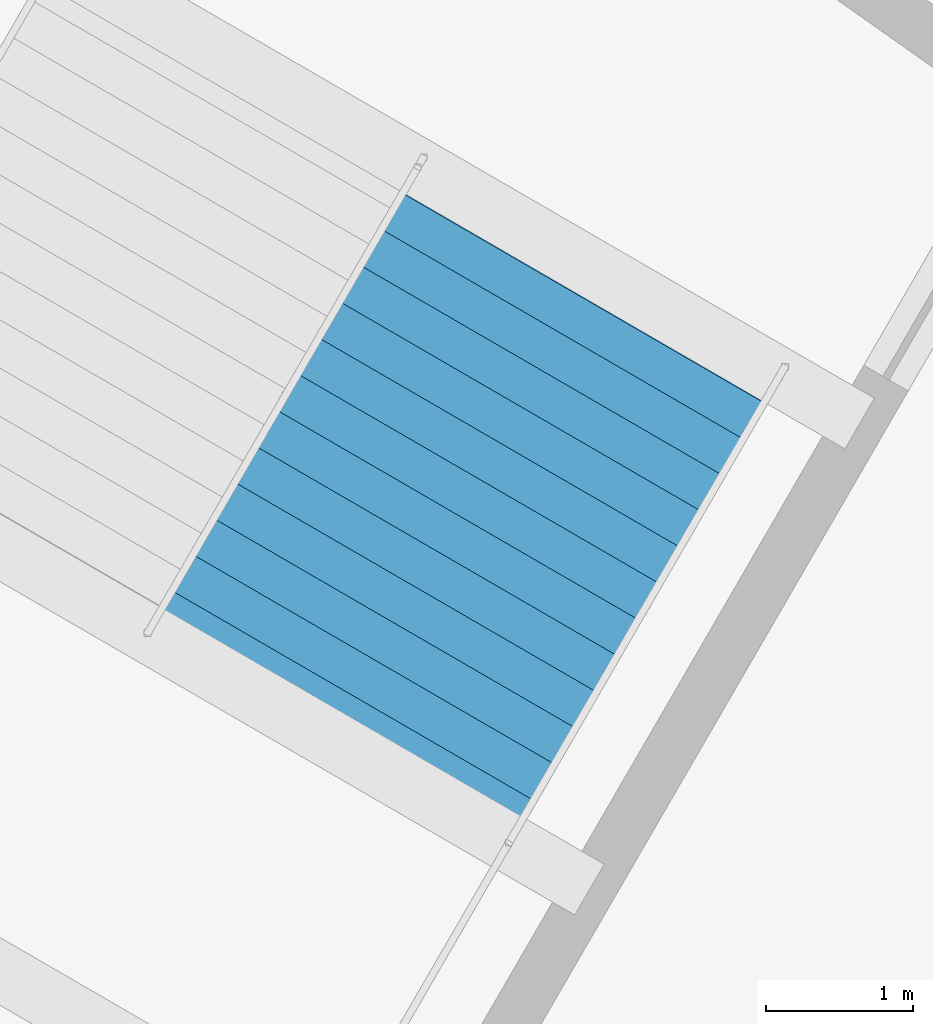
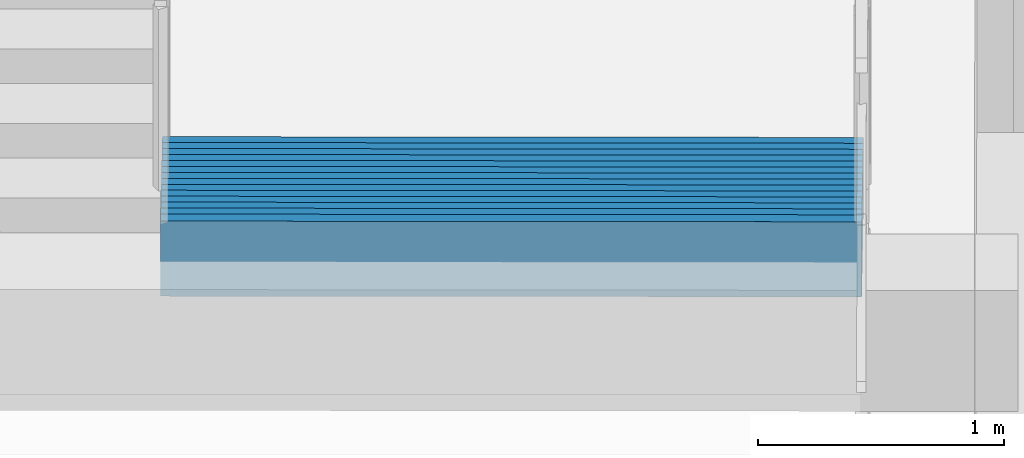
# One storey, part 132 of 156: 1 stair flight, 1 element without a shape of its own.
"""IFC4 building model written with IfcOpenShell, lengths in metres."""

from ifc_helpers import new_model, si_unit, direction, frame, origin, place, context, subcontext, project, spatial, polygons, material, type_object, element, aggregate, save


model = new_model("IFC4")

# Units and contexts
model_context = context("Model", 3, precision=1e-05, world=origin(), true_north=direction((0.0, 1.0)))
body_context = subcontext(model_context, "Body", "Model", "MODEL_VIEW")
ifc_project = project(units=[si_unit("LENGTHUNIT", "METRE"), si_unit("AREAUNIT", "SQUARE_METRE"), si_unit("VOLUMEUNIT", "CUBIC_METRE"), si_unit("PLANEANGLEUNIT", "RADIAN"), si_unit("MASSUNIT", "GRAM", prefix="KILO")], contexts=[model_context])

# Site, building, storey
site_placement = place(None, origin())
site = spatial("IfcSite", under=ifc_project, at=site_placement, CompositionType="ELEMENT")
building_placement = place(site_placement, origin())
building = spatial("IfcBuilding", under=site, at=building_placement, Name="Kazemori Nagisa Stadium", CompositionType="ELEMENT")
storey_placement = place(building_placement, frame((0.0, 0.0, 5.780029296875)))
storey = spatial("IfcBuildingStorey", under=building, at=storey_placement, Name="L01", CompositionType="ELEMENT", Elevation=5.780029296875)

# Stair, stair flight
ifc_material = material(Name="Concrete C36/45 (Fc36)", Category="concrete")
stair_type = type_object("IfcStairType", Name="Stair_CORE_28", PredefinedType="TWO_STRAIGHT_RUN_STAIR", material=ifc_material)
stair_placement = place(storey_placement, origin())
stair = element("IfcStair", 1, at=stair_placement, inside=storey, type_object=stair_type, Name="Exit stair ST08 L01", PredefinedType="TWO_STRAIGHT_RUN_STAIR")
stair_flight_type = type_object("IfcStairFlightType", Name="Flight_CORE_14", PredefinedType="STRAIGHT", material=ifc_material)
stair_flight_placement = place(storey_placement, frame((49.54345703125, 150.724609375, 0.0), z_axis=(0.0, 0.0, 1.0), x_axis=(-0.501579038974, -0.86511182379, 0.0)))
stair_flight = element("IfcStairFlight", 2, at=stair_flight_placement, type_object=stair_flight_type, Name="Exit stair ST08 L01 flight 1", NumberOfRisers=14, NumberOfTreads=13, PredefinedType="STRAIGHT", RiserHeight=0.17, TreadLength=0.285, context=body_context, shape_type="Tessellation", body=[
    polygons([(0.0, -1.425048828125, 0.0), (0.0, -1.425048828125, 0.169921875), (0.284912109375, -1.425048828125, 0.169921875), (0.284912109375, -1.425048828125, 0.340087890625), (0.570068359375, -1.425048828125, 0.340087890625), (0.570068359375, -1.425048828125, 0.510009765625), (0.85498046875, -1.425048828125, 0.510009765625), (0.85498046875, -1.425048828125, 0.679931640625), (1.139892578125, -1.425048828125, 0.679931640625), (1.139892578125, -1.425048828125, 0.85009765625), (1.425048828125, -1.425048828125, 0.85009765625), (1.425048828125, -1.425048828125, 1.02001953125), (1.7099609375, -1.425048828125, 1.02001953125), (1.7099609375, -1.425048828125, 1.18994140625), (1.9951171875, -1.425048828125, 1.18994140625), (1.9951171875, -1.425048828125, 1.360107421875), (2.280029296875, -1.425048828125, 1.360107421875), (2.280029296875, -1.425048828125, 1.530029296875), (2.56494140625, -1.425048828125, 1.530029296875), (2.56494140625, -1.425048828125, 1.699951171875), (2.85009765625, -1.425048828125, 1.699951171875), (2.85009765625, -1.425048828125, 1.8701171875), (3.135009765625, -1.425048828125, 1.8701171875), (3.135009765625, -1.425048828125, 2.0400390625), (3.419921875, -1.425048828125, 2.0400390625), (3.419921875, -1.425048828125, 2.2099609375), (3.705078125, -1.425048828125, 2.2099609375), (3.705078125, -1.425048828125, 2.3798828125), (3.7548828125, -1.425048828125, 2.3798828125), (3.7548828125, -1.425048828125, 2.007080078125), (3.705078125, -1.425048828125, 1.977294921875), (3.419921875, -1.425048828125, 1.80712890625), (3.135009765625, -1.425048828125, 1.63720703125), (2.85009765625, -1.425048828125, 1.46728515625), (2.56494140625, -1.425048828125, 1.297119140625), (2.280029296875, -1.425048828125, 1.127197265625), (1.9951171875, -1.425048828125, 0.957275390625), (1.7099609375, -1.425048828125, 0.787109375), (1.425048828125, -1.425048828125, 0.6171875), (1.139892578125, -1.425048828125, 0.447265625), (0.85498046875, -1.425048828125, 0.277099609375), (0.570068359375, -1.425048828125, 0.107177734375), (0.284912109375, -1.425048828125, 0.0), (0.0, -0.08544921875, 0.0), (0.0, -0.08544921875, 0.169921875), (0.284912109375, -0.08544921875, 0.169921875), (0.284912109375, -0.08544921875, 0.340087890625), (0.570068359375, -0.08544921875, 0.340087890625), (0.570068359375, -0.08544921875, 0.510009765625), (0.85498046875, -0.08544921875, 0.510009765625), (0.85498046875, -0.08544921875, 0.679931640625), (1.139892578125, -0.08544921875, 0.679931640625), (1.139892578125, -0.08544921875, 0.85009765625), (1.425048828125, -0.08544921875, 0.85009765625), (1.425048828125, -0.08544921875, 1.02001953125), (1.7099609375, -0.08544921875, 1.02001953125), (1.7099609375, -0.08544921875, 1.18994140625), (1.9951171875, -0.08544921875, 1.18994140625), (1.9951171875, -0.08544921875, 1.360107421875), (2.280029296875, -0.08544921875, 1.360107421875), (2.280029296875, -0.08544921875, 1.530029296875), (2.56494140625, -0.08544921875, 1.530029296875), (2.56494140625, -0.08544921875, 1.699951171875), (2.85009765625, -0.08544921875, 1.699951171875), (2.85009765625, -0.08544921875, 1.8701171875), (3.135009765625, -0.08544921875, 1.8701171875), (3.135009765625, -0.08544921875, 2.0400390625), (3.419921875, -0.08544921875, 2.0400390625), (3.419921875, -0.08544921875, 2.2099609375), (3.705078125, -0.08544921875, 2.2099609375), (3.705078125, -0.08544921875, 2.3798828125), (3.7548828125, -0.08544921875, 2.3798828125), (3.7548828125, -0.08544921875, 2.007080078125), (3.705078125, -0.08544921875, 1.977294921875), (3.419921875, -0.08544921875, 1.80712890625), (3.135009765625, -0.08544921875, 1.63720703125), (2.85009765625, -0.08544921875, 1.46728515625), (2.56494140625, -0.08544921875, 1.297119140625), (2.280029296875, -0.08544921875, 1.127197265625), (1.9951171875, -0.08544921875, 0.957275390625), (1.7099609375, -0.08544921875, 0.787109375), (1.425048828125, -0.08544921875, 0.6171875), (1.139892578125, -0.08544921875, 0.447265625), (0.85498046875, -0.08544921875, 0.277099609375), (0.570068359375, -0.08544921875, 0.107177734375), (0.284912109375, -0.08544921875, 0.0), (0.0, 0.0, 0.0), (0.0, 0.0, 0.169921875), (0.284912109375, 0.0, 0.169921875), (0.284912109375, 0.0, 0.340087890625), (0.570068359375, 0.0, 0.340087890625), (0.570068359375, 0.0, 0.510009765625), (0.85498046875, 0.0, 0.510009765625), (0.85498046875, 0.0, 0.679931640625), (1.139892578125, 0.0, 0.679931640625), (1.139892578125, 0.0, 0.85009765625), (1.425048828125, 0.0, 0.85009765625), (1.425048828125, 0.0, 1.02001953125), (1.7099609375, 0.0, 1.02001953125), (1.7099609375, 0.0, 1.18994140625), (1.9951171875, 0.0, 1.18994140625), (1.9951171875, 0.0, 1.360107421875), (2.280029296875, 0.0, 1.360107421875), (2.280029296875, 0.0, 1.530029296875), (2.56494140625, 0.0, 1.530029296875), (2.56494140625, 0.0, 1.699951171875), (2.85009765625, 0.0, 1.699951171875), (2.85009765625, 0.0, 1.8701171875), (3.135009765625, 0.0, 1.8701171875), (3.135009765625, 0.0, 2.0400390625), (3.419921875, 0.0, 2.0400390625), (3.419921875, 0.0, 2.2099609375), (3.705078125, 0.0, 2.2099609375), (3.705078125, 0.0, 2.3798828125), (3.7548828125, 0.0, 2.3798828125), (3.7548828125, 0.0, 2.007080078125), (3.705078125, 0.0, 1.977294921875), (3.419921875, 0.0, 1.80712890625), (3.135009765625, 0.0, 1.63720703125), (2.85009765625, 0.0, 1.46728515625), (2.56494140625, 0.0, 1.297119140625), (2.280029296875, 0.0, 1.127197265625), (1.9951171875, 0.0, 0.957275390625), (1.7099609375, 0.0, 0.787109375), (1.425048828125, 0.0, 0.6171875), (1.139892578125, 0.0, 0.447265625), (0.85498046875, 0.0, 0.277099609375), (0.570068359375, 0.0, 0.107177734375), (0.284912109375, 0.0, 0.0), (0.0, 0.08544921875, 0.0), (0.0, 0.08544921875, 0.169921875), (0.284912109375, 0.08544921875, 0.169921875), (0.284912109375, 0.08544921875, 0.340087890625), (0.570068359375, 0.08544921875, 0.340087890625), (0.570068359375, 0.08544921875, 0.510009765625), (0.85498046875, 0.08544921875, 0.510009765625), (0.85498046875, 0.08544921875, 0.679931640625), (1.139892578125, 0.08544921875, 0.679931640625), (1.139892578125, 0.08544921875, 0.85009765625), (1.425048828125, 0.08544921875, 0.85009765625), (1.425048828125, 0.08544921875, 1.02001953125), (1.7099609375, 0.08544921875, 1.02001953125), (1.7099609375, 0.08544921875, 1.18994140625), (1.9951171875, 0.08544921875, 1.18994140625), (1.9951171875, 0.08544921875, 1.360107421875), (2.280029296875, 0.08544921875, 1.360107421875), (2.280029296875, 0.08544921875, 1.530029296875), (2.56494140625, 0.08544921875, 1.530029296875), (2.56494140625, 0.08544921875, 1.699951171875), (2.85009765625, 0.08544921875, 1.699951171875), (2.85009765625, 0.08544921875, 1.8701171875), (3.135009765625, 0.08544921875, 1.8701171875), (3.135009765625, 0.08544921875, 2.0400390625), (3.419921875, 0.08544921875, 2.0400390625), (3.419921875, 0.08544921875, 2.2099609375), (3.705078125, 0.08544921875, 2.2099609375), (3.705078125, 0.08544921875, 2.3798828125), (3.7548828125, 0.08544921875, 2.3798828125), (3.7548828125, 0.08544921875, 2.007080078125), (3.705078125, 0.08544921875, 1.977294921875), (3.419921875, 0.08544921875, 1.80712890625), (3.135009765625, 0.08544921875, 1.63720703125), (2.85009765625, 0.08544921875, 1.46728515625), (2.56494140625, 0.08544921875, 1.297119140625), (2.280029296875, 0.08544921875, 1.127197265625), (1.9951171875, 0.08544921875, 0.957275390625), (1.7099609375, 0.08544921875, 0.787109375), (1.425048828125, 0.08544921875, 0.6171875), (1.139892578125, 0.08544921875, 0.447265625), (0.85498046875, 0.08544921875, 0.277099609375), (0.570068359375, 0.08544921875, 0.107177734375), (0.284912109375, 0.08544921875, 0.0), (0.0, 1.425048828125, 0.0), (0.0, 1.425048828125, 0.169921875), (0.284912109375, 1.425048828125, 0.169921875), (0.284912109375, 1.425048828125, 0.340087890625), (0.570068359375, 1.425048828125, 0.340087890625), (0.570068359375, 1.425048828125, 0.510009765625), (0.85498046875, 1.425048828125, 0.510009765625), (0.85498046875, 1.425048828125, 0.679931640625), (1.139892578125, 1.425048828125, 0.679931640625), (1.139892578125, 1.425048828125, 0.85009765625), (1.425048828125, 1.425048828125, 0.85009765625), (1.425048828125, 1.425048828125, 1.02001953125), (1.7099609375, 1.425048828125, 1.02001953125), (1.7099609375, 1.425048828125, 1.18994140625), (1.9951171875, 1.425048828125, 1.18994140625), (1.9951171875, 1.425048828125, 1.360107421875), (2.280029296875, 1.425048828125, 1.360107421875), (2.280029296875, 1.425048828125, 1.530029296875), (2.56494140625, 1.425048828125, 1.530029296875), (2.56494140625, 1.425048828125, 1.699951171875), (2.85009765625, 1.425048828125, 1.699951171875), (2.85009765625, 1.425048828125, 1.8701171875), (3.135009765625, 1.425048828125, 1.8701171875), (3.135009765625, 1.425048828125, 2.0400390625), (3.419921875, 1.425048828125, 2.0400390625), (3.419921875, 1.425048828125, 2.2099609375), (3.705078125, 1.425048828125, 2.2099609375), (3.705078125, 1.425048828125, 2.3798828125), (3.7548828125, 1.425048828125, 2.3798828125), (3.7548828125, 1.425048828125, 2.007080078125), (3.705078125, 1.425048828125, 1.977294921875), (3.419921875, 1.425048828125, 1.80712890625), (3.135009765625, 1.425048828125, 1.63720703125), (2.85009765625, 1.425048828125, 1.46728515625), (2.56494140625, 1.425048828125, 1.297119140625), (2.280029296875, 1.425048828125, 1.127197265625), (1.9951171875, 1.425048828125, 0.957275390625), (1.7099609375, 1.425048828125, 0.787109375), (1.425048828125, 1.425048828125, 0.6171875), (1.139892578125, 1.425048828125, 0.447265625), (0.85498046875, 1.425048828125, 0.277099609375), (0.570068359375, 1.425048828125, 0.107177734375), (0.284912109375, 1.425048828125, 0.0)], [[[1, 2, 45]], [[1, 45, 44]], [[2, 3, 46]], [[2, 46, 45]], [[3, 4, 47]], [[3, 47, 46]], [[4, 5, 48]], [[4, 48, 47]], [[5, 6, 49]], [[5, 49, 48]], [[6, 7, 50]], [[6, 50, 49]], [[7, 8, 51]], [[7, 51, 50]], [[8, 9, 52]], [[8, 52, 51]], [[9, 10, 53]], [[9, 53, 52]], [[10, 11, 54]], [[10, 54, 53]], [[11, 12, 55]], [[11, 55, 54]], [[12, 13, 56]], [[12, 56, 55]], [[13, 14, 57]], [[13, 57, 56]], [[14, 15, 58]], [[14, 58, 57]], [[15, 16, 59]], [[15, 59, 58]], [[16, 17, 60]], [[16, 60, 59]], [[17, 18, 61]], [[17, 61, 60]], [[18, 19, 62]], [[18, 62, 61]], [[19, 20, 63]], [[19, 63, 62]], [[20, 21, 64]], [[20, 64, 63]], [[21, 22, 65]], [[21, 65, 64]], [[22, 23, 66]], [[22, 66, 65]], [[23, 24, 67]], [[23, 67, 66]], [[24, 25, 68]], [[24, 68, 67]], [[25, 26, 69]], [[25, 69, 68]], [[26, 27, 70]], [[26, 70, 69]], [[27, 28, 71]], [[27, 71, 70]], [[28, 29, 72]], [[28, 72, 71]], [[29, 30, 73]], [[29, 73, 72]], [[30, 31, 74]], [[30, 74, 73]], [[31, 32, 75]], [[31, 75, 74]], [[32, 33, 76]], [[32, 76, 75]], [[33, 34, 77]], [[33, 77, 76]], [[34, 35, 78]], [[34, 78, 77]], [[35, 36, 79]], [[35, 79, 78]], [[36, 37, 80]], [[36, 80, 79]], [[37, 38, 81]], [[37, 81, 80]], [[38, 39, 82]], [[38, 82, 81]], [[39, 40, 83]], [[39, 83, 82]], [[40, 41, 84]], [[40, 84, 83]], [[41, 42, 85]], [[41, 85, 84]], [[42, 43, 86]], [[42, 86, 85]], [[43, 1, 44]], [[43, 44, 86]], [[44, 45, 88]], [[44, 88, 87]], [[45, 46, 89]], [[45, 89, 88]], [[46, 47, 90]], [[46, 90, 89]], [[47, 48, 91]], [[47, 91, 90]], [[48, 49, 92]], [[48, 92, 91]], [[49, 50, 93]], [[49, 93, 92]], [[50, 51, 94]], [[50, 94, 93]], [[51, 52, 95]], [[51, 95, 94]], [[52, 53, 96]], [[52, 96, 95]], [[53, 54, 97]], [[53, 97, 96]], [[54, 55, 98]], [[54, 98, 97]], [[55, 56, 99]], [[55, 99, 98]], [[56, 57, 100]], [[56, 100, 99]], [[57, 58, 101]], [[57, 101, 100]], [[58, 59, 102]], [[58, 102, 101]], [[59, 60, 103]], [[59, 103, 102]], [[60, 61, 104]], [[60, 104, 103]], [[61, 62, 105]], [[61, 105, 104]], [[62, 63, 106]], [[62, 106, 105]], [[63, 64, 107]], [[63, 107, 106]], [[64, 65, 108]], [[64, 108, 107]], [[65, 66, 109]], [[65, 109, 108]], [[66, 67, 110]], [[66, 110, 109]], [[67, 68, 111]], [[67, 111, 110]], [[68, 69, 112]], [[68, 112, 111]], [[69, 70, 113]], [[69, 113, 112]], [[70, 71, 114]], [[70, 114, 113]], [[71, 72, 115]], [[71, 115, 114]], [[72, 73, 116]], [[72, 116, 115]], [[73, 74, 117]], [[73, 117, 116]], [[74, 75, 118]], [[74, 118, 117]], [[75, 76, 119]], [[75, 119, 118]], [[76, 77, 120]], [[76, 120, 119]], [[77, 78, 121]], [[77, 121, 120]], [[78, 79, 122]], [[78, 122, 121]], [[79, 80, 123]], [[79, 123, 122]], [[80, 81, 124]], [[80, 124, 123]], [[81, 82, 125]], [[81, 125, 124]], [[82, 83, 126]], [[82, 126, 125]], [[83, 84, 127]], [[83, 127, 126]], [[84, 85, 128]], [[84, 128, 127]], [[85, 86, 129]], [[85, 129, 128]], [[86, 44, 87]], [[86, 87, 129]], [[87, 88, 131]], [[87, 131, 130]], [[88, 89, 132]], [[88, 132, 131]], [[89, 90, 133]], [[89, 133, 132]], [[90, 91, 134]], [[90, 134, 133]], [[91, 92, 135]], [[91, 135, 134]], [[92, 93, 136]], [[92, 136, 135]], [[93, 94, 137]], [[93, 137, 136]], [[94, 95, 138]], [[94, 138, 137]], [[95, 96, 139]], [[95, 139, 138]], [[96, 97, 140]], [[96, 140, 139]], [[97, 98, 141]], [[97, 141, 140]], [[98, 99, 142]], [[98, 142, 141]], [[99, 100, 143]], [[99, 143, 142]], [[100, 101, 144]], [[100, 144, 143]], [[101, 102, 145]], [[101, 145, 144]], [[102, 103, 146]], [[102, 146, 145]], [[103, 104, 147]], [[103, 147, 146]], [[104, 105, 148]], [[104, 148, 147]], [[105, 106, 149]], [[105, 149, 148]], [[106, 107, 150]], [[106, 150, 149]], [[107, 108, 151]], [[107, 151, 150]], [[108, 109, 152]], [[108, 152, 151]], [[109, 110, 153]], [[109, 153, 152]], [[110, 111, 154]], [[110, 154, 153]], [[111, 112, 155]], [[111, 155, 154]], [[112, 113, 156]], [[112, 156, 155]], [[113, 114, 157]], [[113, 157, 156]], [[114, 115, 158]], [[114, 158, 157]], [[115, 116, 159]], [[115, 159, 158]], [[116, 117, 160]], [[116, 160, 159]], [[117, 118, 161]], [[117, 161, 160]], [[118, 119, 162]], [[118, 162, 161]], [[119, 120, 163]], [[119, 163, 162]], [[120, 121, 164]], [[120, 164, 163]], [[121, 122, 165]], [[121, 165, 164]], [[122, 123, 166]], [[122, 166, 165]], [[123, 124, 167]], [[123, 167, 166]], [[124, 125, 168]], [[124, 168, 167]], [[125, 126, 169]], [[125, 169, 168]], [[126, 127, 170]], [[126, 170, 169]], [[127, 128, 171]], [[127, 171, 170]], [[128, 129, 172]], [[128, 172, 171]], [[129, 87, 130]], [[129, 130, 172]], [[130, 131, 174]], [[130, 174, 173]], [[131, 132, 175]], [[131, 175, 174]], [[132, 133, 176]], [[132, 176, 175]], [[133, 134, 177]], [[133, 177, 176]], [[134, 135, 178]], [[134, 178, 177]], [[135, 136, 179]], [[135, 179, 178]], [[136, 137, 180]], [[136, 180, 179]], [[137, 138, 181]], [[137, 181, 180]], [[138, 139, 182]], [[138, 182, 181]], [[139, 140, 183]], [[139, 183, 182]], [[140, 141, 184]], [[140, 184, 183]], [[141, 142, 185]], [[141, 185, 184]], [[142, 143, 186]], [[142, 186, 185]], [[143, 144, 187]], [[143, 187, 186]], [[144, 145, 188]], [[144, 188, 187]], [[145, 146, 189]], [[145, 189, 188]], [[146, 147, 190]], [[146, 190, 189]], [[147, 148, 191]], [[147, 191, 190]], [[148, 149, 192]], [[148, 192, 191]], [[149, 150, 193]], [[149, 193, 192]], [[150, 151, 194]], [[150, 194, 193]], [[151, 152, 195]], [[151, 195, 194]], [[152, 153, 196]], [[152, 196, 195]], [[153, 154, 197]], [[153, 197, 196]], [[154, 155, 198]], [[154, 198, 197]], [[155, 156, 199]], [[155, 199, 198]], [[156, 157, 200]], [[156, 200, 199]], [[157, 158, 201]], [[157, 201, 200]], [[158, 159, 202]], [[158, 202, 201]], [[159, 160, 203]], [[159, 203, 202]], [[160, 161, 204]], [[160, 204, 203]], [[161, 162, 205]], [[161, 205, 204]], [[162, 163, 206]], [[162, 206, 205]], [[163, 164, 207]], [[163, 207, 206]], [[164, 165, 208]], [[164, 208, 207]], [[165, 166, 209]], [[165, 209, 208]], [[166, 167, 210]], [[166, 210, 209]], [[167, 168, 211]], [[167, 211, 210]], [[168, 169, 212]], [[168, 212, 211]], [[169, 170, 213]], [[169, 213, 212]], [[170, 171, 214]], [[170, 214, 213]], [[171, 172, 215]], [[171, 215, 214]], [[172, 130, 173]], [[172, 173, 215]], [[3, 2, 1]], [[173, 174, 175]], [[43, 3, 1]], [[173, 175, 215]], [[42, 3, 43]], [[215, 175, 214]], [[5, 3, 42]], [[214, 175, 177]], [[5, 4, 3]], [[175, 176, 177]], [[41, 5, 42]], [[214, 177, 213]], [[7, 5, 41]], [[213, 177, 179]], [[7, 6, 5]], [[177, 178, 179]], [[40, 7, 41]], [[213, 179, 212]], [[9, 7, 40]], [[212, 179, 181]], [[9, 8, 7]], [[179, 180, 181]], [[39, 9, 40]], [[212, 181, 211]], [[11, 9, 39]], [[211, 181, 183]], [[11, 10, 9]], [[181, 182, 183]], [[38, 11, 39]], [[211, 183, 210]], [[13, 11, 38]], [[210, 183, 185]], [[13, 12, 11]], [[183, 184, 185]], [[37, 13, 38]], [[210, 185, 209]], [[15, 13, 37]], [[209, 185, 187]], [[15, 14, 13]], [[185, 186, 187]], [[36, 15, 37]], [[209, 187, 208]], [[17, 15, 36]], [[208, 187, 189]], [[17, 16, 15]], [[187, 188, 189]], [[35, 17, 36]], [[208, 189, 207]], [[19, 17, 35]], [[207, 189, 191]], [[19, 18, 17]], [[189, 190, 191]], [[34, 19, 35]], [[207, 191, 206]], [[21, 19, 34]], [[206, 191, 193]], [[21, 20, 19]], [[191, 192, 193]], [[33, 21, 34]], [[206, 193, 205]], [[23, 21, 33]], [[205, 193, 195]], [[23, 22, 21]], [[193, 194, 195]], [[32, 23, 33]], [[205, 195, 204]], [[25, 23, 32]], [[204, 195, 197]], [[25, 24, 23]], [[195, 196, 197]], [[31, 25, 32]], [[204, 197, 203]], [[27, 25, 31]], [[203, 197, 199]], [[27, 26, 25]], [[197, 198, 199]], [[30, 27, 31]], [[203, 199, 202]], [[29, 27, 30]], [[202, 199, 201]], [[29, 28, 27]], [[199, 200, 201]]], closed=True),
])
aggregate(stair, [stair_flight])

save(model, "model.ifc")
